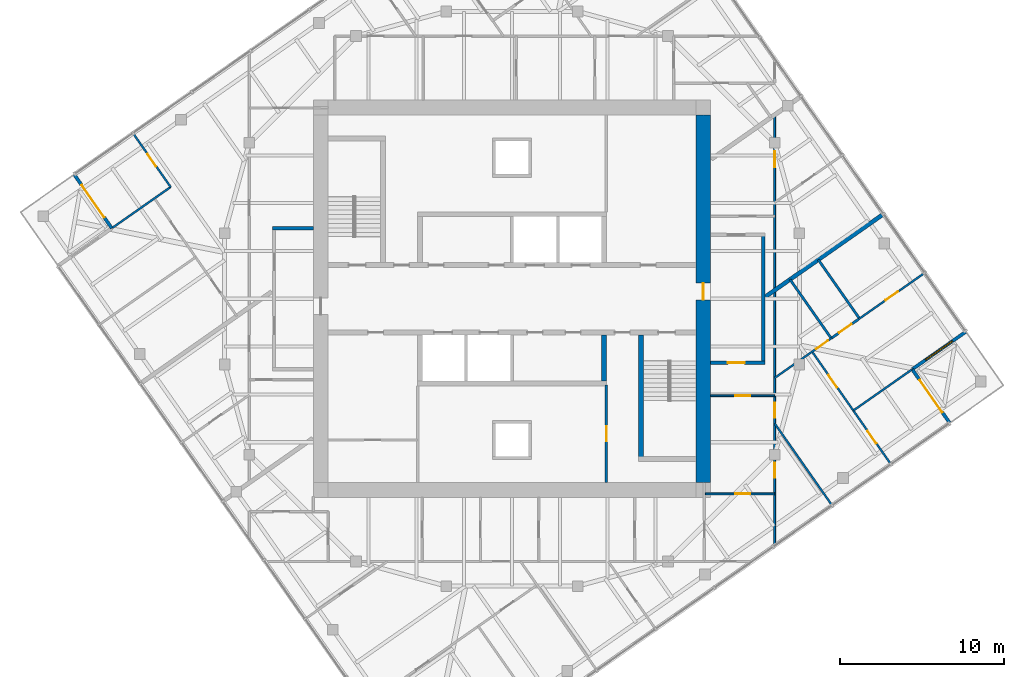
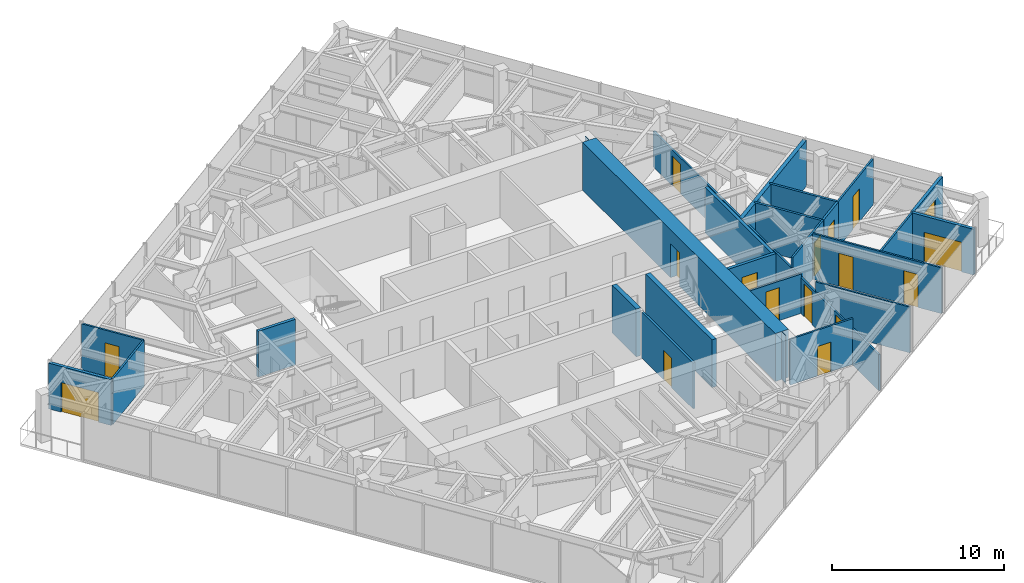
# One storey, part 9 of 12: 24 walls, 16 doors, 1 window, 17 openings.
"""IFC4 building model written with IfcOpenShell, lengths in metres."""

from ifc_helpers import new_model, si_unit, direction, frame, frame_2d, origin, place, context, subcontext, project, spatial, polyline, rectangle, outline, extrude, material, layer, layer_set, type_object, element, fill, save


model = new_model("IFC4")

# Units and contexts
model_context = context("Model", 3, precision=1e-05, world=origin(), true_north=direction((0.0, 1.0)))
body_context = subcontext(model_context, "Body", "Model", "MODEL_VIEW")
ifc_project = project(units=[si_unit("LENGTHUNIT", "METRE"), si_unit("AREAUNIT", "SQUARE_METRE"), si_unit("VOLUMEUNIT", "CUBIC_METRE"), si_unit("PLANEANGLEUNIT", "RADIAN"), si_unit("MASSUNIT", "GRAM", prefix="KILO")], contexts=[model_context])

# Site, building, storey
site_placement = place(None, origin())
site = spatial("IfcSite", under=ifc_project, at=site_placement, CompositionType="ELEMENT")
building_placement = place(site_placement, origin())
building = spatial("IfcBuilding", under=site, at=building_placement, Name="Torsade Residences", CompositionType="ELEMENT")
storey_placement = place(building_placement, frame((0.0, 0.0, 254.0)))
storey = spatial("IfcBuildingStorey", under=building, at=storey_placement, Name="L70", CompositionType="ELEMENT", Elevation=254.0)

# Walls
ifc_material_1 = material(Name="Concrete 80 MPa", Category="concrete")
ifc_layer_1 = layer(ifc_material_1, 0.300048828125)
ifc_layer_set_1 = layer_set([ifc_layer_1], Name="Concrete 80 MPa")
wall_type_1 = type_object("IfcWallType", Name="CORE INTERNAL WALL 300", PredefinedType="SHEAR", material=ifc_layer_set_1)
wall_1_placement = place(storey_placement, frame((45.60009765625, 27.800048828125, 0.0), z_axis=(0.0, 0.0, 1.0), x_axis=(0.0, -1.0, 0.0)))
element("IfcWall", 1, at=wall_1_placement, inside=storey, type_object=wall_type_1, Name="Core wall DS0 L70", PredefinedType="SHEAR", context=body_context, shape_type="SweptSolid", body=[
    extrude(rectangle(XDim=2.800048828125, YDim=0.300048828125, at=frame_2d((1.39990234375, 0.0))), origin(), (0.0, 0.0, 1.0), 3.39990234375),
])
wall_2_placement = place(storey_placement, frame((47.85009765625, 27.800048828125, 0.0), z_axis=(0.0, 0.0, 1.0), x_axis=(0.0, -1.0, 0.0)))
element("IfcWall", 2, at=wall_2_placement, inside=storey, type_object=wall_type_1, Name="Core wall ST2W L70", PredefinedType="SHEAR", context=body_context, shape_type="SweptSolid", body=[
    extrude(rectangle(XDim=7.699951171875, YDim=0.300048828125, at=frame_2d((3.85009765625, 0.0))), origin(), (0.0, 0.0, 1.0), 3.39990234375),
])

# Wall, opening, door
ifc_material_2 = material(Name="Concrete 80 MPa", Category="concrete")
ifc_layer_2 = layer(ifc_material_2, 0.89990234375)
ifc_layer_set_2 = layer_set([ifc_layer_2], Name="Concrete 80 MPa")
wall_type_2 = type_object("IfcWallType", Name="CORE WALL 900", PredefinedType="SHEAR", material=ifc_layer_set_2)
wall_3_placement = place(storey_placement, frame((51.64990234375, 18.800048828125, 0.0), z_axis=(0.0, 0.0, 1.0), x_axis=(0.0, 1.0, 0.0)))
wall_3 = element("IfcWall", 3, at=wall_3_placement, inside=storey, type_object=wall_type_2, Name="Core wall E L70", PredefinedType="SHEAR", context=body_context, shape_type="SweptSolid", body=[
    extrude(outline(polyline([(0.0, -0.449951171875), (22.39990234375, -0.449951171875), (22.39990234375, -0.02490234375), (22.849853515625, -0.02490234375), (22.849853515625, 0.02490234375), (22.39990234375, 0.02490234375), (22.39990234375, 0.449951171875), (0.0, 0.449951171875), (0.0, 0.02490234375), (-0.449951171875, 0.02490234375), (-0.449951171875, -0.02490234375), (0.0, -0.02490234375), (0.0, -0.449951171875)])), origin(), (0.0, 0.0, 1.0), 3.39990234375),
])
opening_1_placement = place(wall_3_placement, frame((11.139892578125, 0.0, 0.0)))
opening_1 = element("IfcOpeningElement", 4, at=opening_1_placement, cuts=wall_3, Name="Opening D04", PredefinedType="OPENING", context=body_context, shape_type="SweptSolid", body=[
    extrude(rectangle(XDim=1.02001953125, YDim=2.39990234375, at=frame_2d((0.510009765625, 1.199951171875))), frame((0.0, 0.4599609375, 0.0), z_axis=(0.0, -1.0, 0.0), x_axis=(1.0, 0.0, 0.0)), (0.0, 0.0, 1.0), 0.919921875),
])
ifc_material_3 = material(Name="Steel-framed fire door", Category="steel")
door_type_1 = type_object("IfcDoorType", Name="LOBBY SMOKE DOOR 1020x2400", OperationType="NOTDEFINED", PredefinedType="DOOR", material=ifc_material_3)
door_1_placement = place(opening_1_placement, origin())
door_1 = element("IfcDoor", 5, at=door_1_placement, inside=storey, type_object=door_type_1, Name="Lift lobby door E L70", OperationType="SINGLE_SWING_LEFT", OverallHeight=2.39990234375, OverallWidth=1.02001953125, PredefinedType="DOOR", context=body_context, shape_type="SweptSolid", body=[
    extrude(rectangle(XDim=1.02001953125, YDim=2.39990234375, at=frame_2d((0.510009765625, 1.199951171875))), frame((0.0, 0.02490234375, 0.0), z_axis=(0.0, -1.0, 0.0), x_axis=(1.0, 0.0, 0.0)), (0.0, 0.0, 1.0), 0.050048828125),
])
fill(opening_1, door_1)

# Wall
ifc_material_4 = material(Name="Plasterboard on steel stud", Category="steel")
ifc_layer_3 = layer(ifc_material_4, 0.199951171875)
ifc_layer_set_3 = layer_set([ifc_layer_3], Name="Plasterboard on steel stud")
wall_type_3 = type_object("IfcWallType", Name="CORRIDOR WALL 200", PredefinedType="PARTITIONING", material=ifc_layer_set_3)
wall_4_placement = place(storey_placement, frame((55.300048828125, 26.10009765625, 0.0), z_axis=(0.0, 0.0, 1.0), x_axis=(0.0, 1.0, 0.0)))
element("IfcWall", 6, at=wall_4_placement, inside=storey, type_object=wall_type_3, Name="Corridor wall L70", PredefinedType="PARTITIONING", context=body_context, shape_type="SweptSolid", body=[
    extrude(rectangle(XDim=7.7998046875, YDim=0.199951171875, at=frame_2d((3.89990234375, 0.0))), origin(), (0.0, 0.0, 1.0), 3.25),
])

# Wall, opening, door
wall_5_placement = place(storey_placement, frame((52.10009765625, 26.10009765625, 0.0), z_axis=(0.0, 0.0, 1.0), x_axis=(1.0, 0.0, 0.0)))
wall_5 = element("IfcWall", 7, at=wall_5_placement, inside=storey, type_object=wall_type_3, Name="Corridor wall L70", PredefinedType="PARTITIONING", context=body_context, shape_type="SweptSolid", body=[
    extrude(rectangle(XDim=3.2998046875, YDim=0.199951171875, at=frame_2d((1.64990234375, 0.0))), origin(), (0.0, 0.0, 1.0), 3.25),
])
opening_2_placement = place(wall_5_placement, frame((1.0400390625, 0.0, 0.0)))
opening_2 = element("IfcOpeningElement", 8, at=opening_2_placement, cuts=wall_5, Name="Opening D01", PredefinedType="OPENING", context=body_context, shape_type="SweptSolid", body=[
    extrude(rectangle(XDim=1.02001953125, YDim=2.340087890625, at=frame_2d((0.510009765625, 1.169921875))), frame((0.0, 0.10986328125, 0.0), z_axis=(0.0, -1.0, 0.0), x_axis=(1.0, 0.0, 0.0)), (0.0, 0.0, 1.0), 0.219970703125),
])
ifc_material_5 = material(Name="Solid-core timber fire door", Category="wood")
door_type_2 = type_object("IfcDoorType", Name="APARTMENT ENTRY DOOR 1020x2340", OperationType="NOTDEFINED", PredefinedType="DOOR", material=ifc_material_5)
door_2_placement = place(opening_2_placement, origin())
door_2 = element("IfcDoor", 9, at=door_2_placement, inside=storey, type_object=door_type_2, Name="Door Residential corridor to Kitchen and dining", OperationType="SINGLE_SWING_LEFT", OverallHeight=2.340087890625, OverallWidth=1.02001953125, PredefinedType="DOOR", context=body_context, shape_type="SweptSolid", body=[
    extrude(rectangle(XDim=1.02001953125, YDim=2.340087890625, at=frame_2d((0.510009765625, 1.169921875))), frame((0.0, 0.02490234375, 0.0), z_axis=(0.0, -1.0, 0.0), x_axis=(1.0, 0.0, 0.0)), (0.0, 0.0, 1.0), 0.050048828125),
])
fill(opening_2, door_2)

# Wall
wall_6_placement = place(storey_placement, frame((27.89990234375, 34.300048828125, 0.0), z_axis=(0.0, 0.0, 1.0), x_axis=(-1.0, 0.0, 0.0)))
element("IfcWall", 10, at=wall_6_placement, inside=storey, type_object=wall_type_3, Name="Corridor wall L70", PredefinedType="PARTITIONING", context=body_context, shape_type="SweptSolid", body=[
    extrude(rectangle(XDim=2.5, YDim=0.199951171875, at=frame_2d((1.25, 0.0))), origin(), (0.0, 0.0, 1.0), 3.25),
])

# Wall, opening, door
ifc_material_6 = material(Name="Plasterboard on steel stud", Category="steel")
ifc_layer_4 = layer(ifc_material_6, 0.1201171875)
ifc_layer_set_4 = layer_set([ifc_layer_4], Name="Plasterboard on steel stud")
wall_type_4 = type_object("IfcWallType", Name="PARTITION 120", PredefinedType="PARTITIONING", material=ifc_layer_set_4)
wall_7_placement = place(storey_placement, frame((56.0, 24.0947265625, 0.0), z_axis=(0.0, 0.0, 1.0), x_axis=(-1.0, 0.0, 0.0)))
wall_7 = element("IfcWall", 11, at=wall_7_placement, inside=storey, type_object=wall_type_4, Name="Partition L70", PredefinedType="PARTITIONING", context=body_context, shape_type="SweptSolid", body=[
    extrude(rectangle(XDim=3.89990234375, YDim=0.1201171875, at=frame_2d((1.949951171875, 0.0))), origin(), (0.0, 0.0, 1.0), 2.7958984375),
])
opening_3_placement = place(wall_7_placement, frame((1.489990234375, 0.0, 0.0)))
opening_3 = element("IfcOpeningElement", 12, at=opening_3_placement, cuts=wall_7, Name="Opening D02", PredefinedType="OPENING", context=body_context, shape_type="SweptSolid", body=[
    extrude(rectangle(XDim=0.919921875, YDim=2.340087890625, at=frame_2d((0.4599609375, 1.169921875))), frame((0.0, 0.070068359375, 0.0), z_axis=(0.0, -1.0, 0.0), x_axis=(1.0, 0.0, 0.0)), (0.0, 0.0, 1.0), 0.14013671875),
])
ifc_material_7 = material(Name="Hollow-core timber door", Category="wood")
door_type_3 = type_object("IfcDoorType", Name="INTERNAL DOOR 920x2340", OperationType="NOTDEFINED", PredefinedType="DOOR", material=ifc_material_7)
door_3_placement = place(opening_3_placement, origin())
door_3 = element("IfcDoor", 13, at=door_3_placement, inside=storey, type_object=door_type_3, Name="Door Kitchen and dining to Walk-in robe", OperationType="SINGLE_SWING_LEFT", OverallHeight=2.340087890625, OverallWidth=0.919921875, PredefinedType="DOOR", context=body_context, shape_type="SweptSolid", body=[
    extrude(rectangle(XDim=0.919921875, YDim=2.340087890625, at=frame_2d((0.4599609375, 1.169921875))), frame((0.0, 0.02490234375, 0.0), z_axis=(0.0, -1.0, 0.0), x_axis=(1.0, 0.0, 0.0)), (0.0, 0.0, 1.0), 0.050048828125),
])
fill(opening_3, door_3)

# Wall, openings, doors
wall_8_placement = place(storey_placement, frame((56.0, 41.203369140625, 0.0), z_axis=(0.0, 0.0, 1.0), x_axis=(0.0, -1.0, 0.0)))
wall_8 = element("IfcWall", 14, at=wall_8_placement, inside=storey, type_object=wall_type_4, Name="Partition L70", PredefinedType="PARTITIONING", context=body_context, shape_type="SweptSolid", body=[
    extrude(rectangle(XDim=26.19775390625, YDim=0.1201171875, at=frame_2d((13.098876953125, 0.0))), origin(), (0.0, 0.0, 1.0), 2.549072265625),
])
opening_4_placement = place(wall_8_placement, frame((21.1884765625, 0.0, 0.0)))
opening_4 = element("IfcOpeningElement", 15, at=opening_4_placement, cuts=wall_8, Name="Opening D02", PredefinedType="OPENING", context=body_context, shape_type="SweptSolid", body=[
    extrude(rectangle(XDim=0.919921875, YDim=2.340087890625, at=frame_2d((0.4599609375, 1.169921875))), frame((0.0, 0.070068359375, 0.0), z_axis=(0.0, -1.0, 0.0), x_axis=(1.0, 0.0, 0.0)), (0.0, 0.0, 1.0), 0.14013671875),
])
opening_5_placement = place(wall_8_placement, frame((17.537109375, 0.0, 0.0)))
opening_5 = element("IfcOpeningElement", 16, at=opening_5_placement, cuts=wall_8, Name="Opening D02", PredefinedType="OPENING", context=body_context, shape_type="SweptSolid", body=[
    extrude(rectangle(XDim=0.919921875, YDim=2.340087890625, at=frame_2d((0.4599609375, 1.169921875))), frame((0.0, 0.070068359375, 0.0), z_axis=(0.0, -1.0, 0.0), x_axis=(1.0, 0.0, 0.0)), (0.0, 0.0, 1.0), 0.14013671875),
])
opening_6_placement = place(wall_8_placement, frame((2.220947265625, 0.0, 0.0)))
opening_6 = element("IfcOpeningElement", 17, at=opening_6_placement, cuts=wall_8, Name="Opening D05", PredefinedType="OPENING", context=body_context, shape_type="SweptSolid", body=[
    extrude(rectangle(XDim=0.9599609375, YDim=2.10009765625, at=frame_2d((0.47998046875, 1.050048828125))), frame((0.0, 0.070068359375, 0.0), z_axis=(0.0, -1.0, 0.0), x_axis=(1.0, 0.0, 0.0)), (0.0, 0.0, 1.0), 0.14013671875),
])
ifc_material_8 = material(Name="Hollow-core timber door in a steel cavity frame", Category="steel")
door_type_4 = type_object("IfcDoorType", Name="BATHROOM CAVITY SLIDING DOOR 960", OperationType="SLIDING_TO_LEFT", PredefinedType="DOOR", material=ifc_material_8)
door_4_placement = place(opening_6_placement, origin())
door_4 = element("IfcDoor", 18, at=door_4_placement, inside=storey, type_object=door_type_4, Name="Door Bathroom to Bedroom 1", OperationType="SLIDING_TO_LEFT", OverallHeight=2.10009765625, OverallWidth=0.9599609375, PredefinedType="DOOR", context=body_context, shape_type="SweptSolid", body=[
    extrude(rectangle(XDim=0.9599609375, YDim=2.10009765625, at=frame_2d((0.47998046875, 1.050048828125))), frame((0.0, 0.02490234375, 0.0), z_axis=(0.0, -1.0, 0.0), x_axis=(1.0, 0.0, 0.0)), (0.0, 0.0, 1.0), 0.050048828125),
])
fill(opening_6, door_4)
door_5_placement = place(opening_4_placement, origin())
door_5 = element("IfcDoor", 19, at=door_5_placement, inside=storey, type_object=door_type_3, Name="Door Walk-in robe to Media room 2", OperationType="SINGLE_SWING_LEFT", OverallHeight=2.340087890625, OverallWidth=0.919921875, PredefinedType="DOOR", context=body_context, shape_type="SweptSolid", body=[
    extrude(rectangle(XDim=0.919921875, YDim=2.340087890625, at=frame_2d((0.4599609375, 1.169921875))), frame((0.0, 0.02490234375, 0.0), z_axis=(0.0, -1.0, 0.0), x_axis=(1.0, 0.0, 0.0)), (0.0, 0.0, 1.0), 0.050048828125),
])
fill(opening_4, door_5)
door_6_placement = place(opening_5_placement, origin())
door_6 = element("IfcDoor", 20, at=door_6_placement, inside=storey, type_object=door_type_3, Name="Door Walk-in robe to Bedroom 3", OperationType="SINGLE_SWING_RIGHT", OverallHeight=2.340087890625, OverallWidth=0.919921875, PredefinedType="DOOR", context=body_context, shape_type="SweptSolid", body=[
    extrude(rectangle(XDim=0.919921875, YDim=2.340087890625, at=frame_2d((0.4599609375, 1.169921875))), frame((0.0, 0.02490234375, 0.0), z_axis=(0.0, -1.0, 0.0), x_axis=(1.0, 0.0, 0.0)), (0.0, 0.0, 1.0), 0.050048828125),
])
fill(opening_5, door_6)

# Wall, opening, door
wall_9_placement = place(storey_placement, frame((51.77734375, 18.11767578125, 0.0), z_axis=(0.0, 0.0, 1.0), x_axis=(1.0, 0.0, 0.0)))
wall_9 = element("IfcWall", 21, at=wall_9_placement, inside=storey, type_object=wall_type_4, Name="Partition L70", PredefinedType="PARTITIONING", context=body_context, shape_type="SweptSolid", body=[
    extrude(rectangle(XDim=4.22265625, YDim=0.1201171875, at=frame_2d((2.111328125, 0.0))), origin(), (0.0, 0.0, 1.0), 3.25),
])
opening_7_placement = place(wall_9_placement, frame((1.8125, 0.0, 0.0)))
opening_7 = element("IfcOpeningElement", 22, at=opening_7_placement, cuts=wall_9, Name="Opening D02L", PredefinedType="OPENING", context=body_context, shape_type="SweptSolid", body=[
    extrude(rectangle(XDim=0.919921875, YDim=2.10009765625, at=frame_2d((0.4599609375, 1.050048828125))), frame((0.0, 0.070068359375, 0.0), z_axis=(0.0, -1.0, 0.0), x_axis=(1.0, 0.0, 0.0)), (0.0, 0.0, 1.0), 0.14013671875),
])
ifc_material_9 = material(Name="Hollow-core timber door", Category="wood")
door_type_5 = type_object("IfcDoorType", Name="INTERNAL DOOR 920x2100", OperationType="NOTDEFINED", PredefinedType="DOOR", material=ifc_material_9)
door_7_placement = place(opening_7_placement, origin())
door_7 = element("IfcDoor", 23, at=door_7_placement, inside=storey, type_object=door_type_5, Name="Door Walk-in robe to Study", OperationType="SINGLE_SWING_RIGHT", OverallHeight=2.10009765625, OverallWidth=0.919921875, PredefinedType="DOOR", context=body_context, shape_type="SweptSolid", body=[
    extrude(rectangle(XDim=0.919921875, YDim=2.10009765625, at=frame_2d((0.4599609375, 1.050048828125))), frame((0.0, 0.02490234375, 0.0), z_axis=(0.0, -1.0, 0.0), x_axis=(1.0, 0.0, 0.0)), (0.0, 0.0, 1.0), 0.050048828125),
])
fill(opening_7, door_7)

# Wall, openings, doors
wall_10_placement = place(storey_placement, frame((63.060302734375, 19.94921875, 0.0), z_axis=(0.0, 0.0, 1.0), x_axis=(-0.573576357466, 0.819152099525, 0.0)))
wall_10 = element("IfcWall", 24, at=wall_10_placement, inside=storey, type_object=wall_type_4, Name="Partition L70", PredefinedType="PARTITIONING", context=body_context, shape_type="SweptSolid", body=[
    extrude(rectangle(XDim=8.3349609375, YDim=0.1201171875, at=frame_2d((4.16748046875, 0.0))), origin(), (0.0, 0.0, 1.0), 3.25),
])
opening_8_placement = place(wall_10_placement, frame((5.6875, 0.0, 0.0)))
opening_8 = element("IfcOpeningElement", 25, at=opening_8_placement, cuts=wall_10, Name="Opening D02", PredefinedType="OPENING", context=body_context, shape_type="SweptSolid", body=[
    extrude(rectangle(XDim=0.919921875, YDim=2.340087890625, at=frame_2d((0.4599609375, 1.169921875))), frame((0.0, 0.070068359375, 0.0), z_axis=(0.0, -1.0, 0.0), x_axis=(1.0, 0.0, 0.0)), (0.0, 0.0, 1.0), 0.14013671875),
])
opening_9_placement = place(wall_10_placement, frame((1.52490234375, 0.0, 0.0)))
opening_9 = element("IfcOpeningElement", 26, at=opening_9_placement, cuts=wall_10, Name="Opening D02", PredefinedType="OPENING", context=body_context, shape_type="SweptSolid", body=[
    extrude(rectangle(XDim=0.919921875, YDim=2.340087890625, at=frame_2d((0.4599609375, 1.169921875))), frame((0.0, 0.070068359375, 0.0), z_axis=(0.0, -1.0, 0.0), x_axis=(1.0, 0.0, 0.0)), (0.0, 0.0, 1.0), 0.14013671875),
])
door_8_placement = place(opening_8_placement, origin())
door_8 = element("IfcDoor", 27, at=door_8_placement, inside=storey, type_object=door_type_3, Name="Door Bedroom 3 to Bedroom 2", OperationType="SINGLE_SWING_RIGHT", OverallHeight=2.340087890625, OverallWidth=0.919921875, PredefinedType="DOOR", context=body_context, shape_type="SweptSolid", body=[
    extrude(rectangle(XDim=0.919921875, YDim=2.340087890625, at=frame_2d((0.4599609375, 1.169921875))), frame((0.0, 0.02490234375, 0.0), z_axis=(0.0, -1.0, 0.0), x_axis=(1.0, 0.0, 0.0)), (0.0, 0.0, 1.0), 0.050048828125),
])
fill(opening_8, door_8)
door_9_placement = place(opening_9_placement, origin())
door_9 = element("IfcDoor", 28, at=door_9_placement, inside=storey, type_object=door_type_3, Name="Door Bedroom 3 to Study 3", OperationType="SINGLE_SWING_RIGHT", OverallHeight=2.340087890625, OverallWidth=0.919921875, PredefinedType="DOOR", context=body_context, shape_type="SweptSolid", body=[
    extrude(rectangle(XDim=0.919921875, YDim=2.340087890625, at=frame_2d((0.4599609375, 1.169921875))), frame((0.0, 0.02490234375, 0.0), z_axis=(0.0, -1.0, 0.0), x_axis=(1.0, 0.0, 0.0)), (0.0, 0.0, 1.0), 0.050048828125),
])
fill(opening_9, door_9)

# Wall, opening, door
wall_11_placement = place(storey_placement, frame((61.123046875, 28.767822265625, 0.0), z_axis=(0.0, 0.0, 1.0), x_axis=(0.819144657999, 0.573586984922, 0.0)))
wall_11 = element("IfcWall", 29, at=wall_11_placement, inside=storey, type_object=wall_type_4, Name="Partition L70", PredefinedType="PARTITIONING", context=body_context, shape_type="SweptSolid", body=[
    extrude(rectangle(XDim=4.86376953125, YDim=0.1201171875, at=frame_2d((2.431884765625, 0.0))), origin(), (0.0, 0.0, 1.0), 3.25),
])
opening_10_placement = place(wall_11_placement, frame((1.991943359375, 0.0, 0.0)))
opening_10 = element("IfcOpeningElement", 30, at=opening_10_placement, cuts=wall_11, Name="Opening D02", PredefinedType="OPENING", context=body_context, shape_type="SweptSolid", body=[
    extrude(rectangle(XDim=0.919921875, YDim=2.340087890625, at=frame_2d((0.4599609375, 1.169921875))), frame((0.0, 0.070068359375, 0.0), z_axis=(0.0, -1.0, 0.0), x_axis=(1.0, 0.0, 0.0)), (0.0, 0.0, 1.0), 0.14013671875),
])
door_10_placement = place(opening_10_placement, origin())
door_10 = element("IfcDoor", 31, at=door_10_placement, inside=storey, type_object=door_type_3, Name="Door Bedroom 2 to Family room", OperationType="SINGLE_SWING_LEFT", OverallHeight=2.340087890625, OverallWidth=0.919921875, PredefinedType="DOOR", context=body_context, shape_type="SweptSolid", body=[
    extrude(rectangle(XDim=0.919921875, YDim=2.340087890625, at=frame_2d((0.4599609375, 1.169921875))), frame((0.0, 0.02490234375, 0.0), z_axis=(0.0, -1.0, 0.0), x_axis=(1.0, 0.0, 0.0)), (0.0, 0.0, 1.0), 0.050048828125),
])
fill(opening_10, door_10)

wall_12_placement = place(storey_placement, frame((56.0, 25.1806640625, 0.0), z_axis=(0.0, 0.0, 1.0), x_axis=(0.819159093985, 0.573566368211, 0.0)))
wall_12 = element("IfcWall", 32, at=wall_12_placement, inside=storey, type_object=wall_type_4, Name="Partition L70", PredefinedType="PARTITIONING", context=body_context, shape_type="SweptSolid", body=[
    extrude(rectangle(XDim=4.252685546875, YDim=0.1201171875, at=frame_2d((2.12646484375, 0.0))), origin(), (0.0, 0.0, 1.0), 3.25),
])
opening_11_placement = place(wall_12_placement, frame((3.057861328125, 0.0, 0.0)))
opening_11 = element("IfcOpeningElement", 33, at=opening_11_placement, cuts=wall_12, Name="Opening D02", PredefinedType="OPENING", context=body_context, shape_type="SweptSolid", body=[
    extrude(rectangle(XDim=0.919921875, YDim=2.340087890625, at=frame_2d((0.4599609375, 1.169921875))), frame((0.0, 0.070068359375, 0.0), z_axis=(0.0, -1.0, 0.0), x_axis=(1.0, 0.0, 0.0)), (0.0, 0.0, 1.0), 0.14013671875),
])
door_11_placement = place(opening_11_placement, origin())
door_11 = element("IfcDoor", 34, at=door_11_placement, inside=storey, type_object=door_type_3, Name="Door Bedroom 2 to Walk-in robe 2", OperationType="SINGLE_SWING_RIGHT", OverallHeight=2.340087890625, OverallWidth=0.919921875, PredefinedType="DOOR", context=body_context, shape_type="SweptSolid", body=[
    extrude(rectangle(XDim=0.919921875, YDim=2.340087890625, at=frame_2d((0.4599609375, 1.169921875))), frame((0.0, 0.02490234375, 0.0), z_axis=(0.0, -1.0, 0.0), x_axis=(1.0, 0.0, 0.0)), (0.0, 0.0, 1.0), 0.050048828125),
])
fill(opening_11, door_11)

# Walls
wall_13_placement = place(storey_placement, frame((64.340087890625, 25.679443359375, 0.0), z_axis=(0.0, 0.0, 1.0), x_axis=(-0.819165768115, -0.573556836197, 0.0)))
element("IfcWall", 35, at=wall_13_placement, inside=storey, type_object=wall_type_4, Name="Partition L70", PredefinedType="PARTITIONING", context=body_context, shape_type="SweptSolid", body=[
    extrude(rectangle(XDim=4.3349609375, YDim=0.1201171875, at=frame_2d((2.16748046875, 0.0))), origin(), (0.0, 0.0, 1.0), 3.25),
])
wall_14_placement = place(storey_placement, frame((59.4765625, 17.439697265625, 0.0), z_axis=(0.0, 0.0, 1.0), x_axis=(-0.573573173989, 0.81915432861, 0.0)))
element("IfcWall", 36, at=wall_14_placement, inside=storey, type_object=wall_type_4, Name="Partition L70", PredefinedType="PARTITIONING", context=body_context, shape_type="SweptSolid", body=[
    extrude(rectangle(XDim=6.061279296875, YDim=0.1201171875, at=frame_2d((3.03076171875, 0.0))), origin(), (0.0, 0.0, 1.0), 3.25),
])
wall_15_placement = place(storey_placement, frame((15.659912109375, 34.320556640625, 0.0), z_axis=(0.0, 0.0, 1.0), x_axis=(0.819139307094, 0.573594626521, 0.0)))
element("IfcWall", 37, at=wall_15_placement, inside=storey, type_object=wall_type_4, Name="Partition L70", PredefinedType="PARTITIONING", context=body_context, shape_type="SweptSolid", body=[
    extrude(rectangle(XDim=4.3349609375, YDim=0.1201171875, at=frame_2d((2.16748046875, 0.0))), origin(), (0.0, 0.0, 1.0), 3.25),
])

# Wall, opening, door
wall_16_placement = place(storey_placement, frame((19.2109375, 36.80712890625, 0.0), z_axis=(0.0, 0.0, 1.0), x_axis=(-0.573578200724, 0.819150808859, 0.0)))
wall_16 = element("IfcWall", 38, at=wall_16_placement, inside=storey, type_object=wall_type_4, Name="Partition L70", PredefinedType="PARTITIONING", context=body_context, shape_type="SweptSolid", body=[
    extrude(rectangle(XDim=3.959716796875, YDim=0.1201171875, at=frame_2d((1.97998046875, 0.0))), origin(), (0.0, 0.0, 1.0), 3.25),
])
opening_12_placement = place(wall_16_placement, frame((1.5400390625, 0.0, 0.0)))
opening_12 = element("IfcOpeningElement", 39, at=opening_12_placement, cuts=wall_16, Name="Opening D02", PredefinedType="OPENING", context=body_context, shape_type="SweptSolid", body=[
    extrude(rectangle(XDim=0.919921875, YDim=2.340087890625, at=frame_2d((0.4599609375, 1.169921875))), frame((0.0, 0.070068359375, 0.0), z_axis=(0.0, -1.0, 0.0), x_axis=(1.0, 0.0, 0.0)), (0.0, 0.0, 1.0), 0.14013671875),
])
door_12_placement = place(opening_12_placement, origin())
door_12 = element("IfcDoor", 40, at=door_12_placement, inside=storey, type_object=door_type_3, Name="Door Living room to Family room 2", OperationType="SINGLE_SWING_LEFT", OverallHeight=2.340087890625, OverallWidth=0.919921875, PredefinedType="DOOR", context=body_context, shape_type="SweptSolid", body=[
    extrude(rectangle(XDim=0.919921875, YDim=2.340087890625, at=frame_2d((0.4599609375, 1.169921875))), frame((0.0, 0.02490234375, 0.0), z_axis=(0.0, -1.0, 0.0), x_axis=(1.0, 0.0, 0.0)), (0.0, 0.0, 1.0), 0.050048828125),
])
fill(opening_12, door_12)

# Wall
ifc_material_10 = material(Name="Masonry-lined stud party wall", Category="masonry")
ifc_layer_5 = layer(ifc_material_10, 0.25)
ifc_layer_set_5 = layer_set([ifc_layer_5], Name="Masonry-lined stud party wall")
wall_type_5 = type_object("IfcWallType", Name="PARTY WALL 250", PredefinedType="PARTITIONING", material=ifc_layer_set_5)
wall_17_placement = place(storey_placement, frame((62.630615234375, 35.164306640625, 0.0), z_axis=(0.0, 0.0, 1.0), x_axis=(-0.819152220062, -0.573576185321, 0.0)))
element("IfcWall", 41, at=wall_17_placement, inside=storey, type_object=wall_type_5, Name="Party wall L70", PredefinedType="PARTITIONING", context=body_context, shape_type="SweptSolid", body=[
    extrude(rectangle(XDim=8.779296875, YDim=0.25, at=frame_2d((4.3896484375, 0.0))), origin(), (0.0, 0.0, 1.0), 3.25),
])

# Wall, opening, door
ifc_material_11 = material(Name="Reinforced blockwork", Category="masonry")
ifc_layer_6 = layer(ifc_material_11, 0.14990234375)
ifc_layer_set_6 = layer_set([ifc_layer_6], Name="Reinforced blockwork")
wall_type_6 = type_object("IfcWallType", Name="SERVICE ROOM WALL 150", PredefinedType="SOLIDWALL", material=ifc_layer_set_6)
wall_18_placement = place(storey_placement, frame((45.75, 18.800048828125, 0.0), z_axis=(0.0, 0.0, 1.0), x_axis=(0.0, 1.0, 0.0)))
wall_18 = element("IfcWall", 42, at=wall_18_placement, inside=storey, type_object=wall_type_6, Name="Service room wall L70", PredefinedType="SOLIDWALL", context=body_context, shape_type="SweptSolid", body=[
    extrude(rectangle(XDim=5.949951171875, YDim=0.14990234375, at=frame_2d((2.97509765625, 0.0))), origin(), (0.0, 0.0, 1.0), 3.25),
])
opening_13_placement = place(wall_18_placement, frame((2.514892578125, 0.0, 0.0)))
opening_13 = element("IfcOpeningElement", 43, at=opening_13_placement, cuts=wall_18, Name="Opening D06", PredefinedType="OPENING", context=body_context, shape_type="SweptSolid", body=[
    extrude(rectangle(XDim=0.919921875, YDim=2.10009765625, at=frame_2d((0.4599609375, 1.050048828125))), frame((0.0, 0.0849609375, 0.0), z_axis=(0.0, -1.0, 0.0), x_axis=(1.0, 0.0, 0.0)), (0.0, 0.0, 1.0), 0.169921875),
])
ifc_material_12 = material(Name="Steel-framed fire door", Category="steel")
door_type_6 = type_object("IfcDoorType", Name="FIRE DOOR 920", OperationType="NOTDEFINED", PredefinedType="DOOR", material=ifc_material_12)
door_13_placement = place(opening_13_placement, origin())
door_13 = element("IfcDoor", 44, at=door_13_placement, inside=storey, type_object=door_type_6, Name="Door Security and data store to Communications riser room", OperationType="SINGLE_SWING_RIGHT", OverallHeight=2.10009765625, OverallWidth=0.919921875, PredefinedType="DOOR", context=body_context, shape_type="SweptSolid", body=[
    extrude(rectangle(XDim=0.919921875, YDim=2.10009765625, at=frame_2d((0.4599609375, 1.050048828125))), frame((0.0, 0.02490234375, 0.0), z_axis=(0.0, -1.0, 0.0), x_axis=(1.0, 0.0, 0.0)), (0.0, 0.0, 1.0), 0.050048828125),
])
fill(opening_13, door_13)

wall_19_placement = place(storey_placement, frame((59.483642578125, 27.619873046875, 0.0), z_axis=(0.0, 0.0, 1.0), x_axis=(0.819145946981, 0.573585144111, 0.0)))
wall_19 = element("IfcWall", 45, at=wall_19_placement, inside=storey, type_object=wall_type_6, Name="Service room wall L70", PredefinedType="SOLIDWALL", context=body_context, shape_type="SweptSolid", body=[
    extrude(rectangle(XDim=2.00146484375, YDim=0.14990234375, at=frame_2d((1.000732421875, 0.0))), origin(), (0.0, 0.0, 1.0), 3.25),
])
opening_14_placement = place(wall_19_placement, frame((0.540771484375, 0.0, 0.0)))
opening_14 = element("IfcOpeningElement", 46, at=opening_14_placement, cuts=wall_19, Name="Opening D02", PredefinedType="OPENING", context=body_context, shape_type="SweptSolid", body=[
    extrude(rectangle(XDim=0.919921875, YDim=2.340087890625, at=frame_2d((0.4599609375, 1.169921875))), frame((0.0, 0.0849609375, 0.0), z_axis=(0.0, -1.0, 0.0), x_axis=(1.0, 0.0, 0.0)), (0.0, 0.0, 1.0), 0.169921875),
])
door_14_placement = place(opening_14_placement, origin())
door_14 = element("IfcDoor", 47, at=door_14_placement, inside=storey, type_object=door_type_3, Name="Door Bedroom 2 to Linen store 2", OperationType="SINGLE_SWING_LEFT", OverallHeight=2.340087890625, OverallWidth=0.919921875, PredefinedType="DOOR", context=body_context, shape_type="SweptSolid", body=[
    extrude(rectangle(XDim=0.919921875, YDim=2.340087890625, at=frame_2d((0.4599609375, 1.169921875))), frame((0.0, 0.02490234375, 0.0), z_axis=(0.0, -1.0, 0.0), x_axis=(1.0, 0.0, 0.0)), (0.0, 0.0, 1.0), 0.050048828125),
])
fill(opening_14, door_14)

# Walls
for number, where, z_axis, x_axis, name in (
    (48, (61.1640625, 28.796630859375, 0.0), (0.0, 0.0, 1.0), (-0.573563463091, 0.81916112811, 0.0), "Service room wall L70"),
    (49, (56.933349609375, 31.175048828125, 0.0), (0.0, 0.0, 1.0), (0.573563463091, -0.81916112811, 0.0), "Service room wall L70"),
):
    element("IfcWall", number, at=place(storey_placement, frame(where, z_axis=z_axis, x_axis=x_axis)), inside=storey, type_object=wall_type_6, Name=name, PredefinedType="SOLIDWALL", context=body_context, shape_type="SweptSolid", body=[
        extrude(rectangle(XDim=4.375, YDim=0.14990234375, at=frame_2d((2.1875, 0.0))), origin(), (0.0, 0.0, 1.0), 3.25),
    ])

# Wall, opening, door
ifc_material_13 = material(Name="Stone-faced precast concrete 40 MPa panel", Category="masonry")
ifc_layer_7 = layer(ifc_material_13, 0.199951171875)
ifc_layer_set_7 = layer_set([ifc_layer_7], Name="Stone-faced precast concrete 40 MPa panel")
wall_type_7 = type_object("IfcWallType", Name="TERRACE WALL 200", PredefinedType="SOLIDWALL", material=ifc_layer_set_7)
wall_20_placement = place(storey_placement, frame((66.6669921875, 22.42578125, 0.0), z_axis=(0.0, 0.0, 1.0), x_axis=(-0.573556557423, 0.819165963305, 0.0)))
wall_20 = element("IfcWall", 50, at=wall_20_placement, inside=storey, type_object=wall_type_7, Name="Terrace wall L70 2", PredefinedType="SOLIDWALL", context=body_context, shape_type="SweptSolid", body=[
    extrude(rectangle(XDim=4.0, YDim=0.199951171875, at=frame_2d((2.0, 0.0))), origin(), (0.0, 0.0, 1.0), 3.25),
])
opening_15_placement = place(wall_20_placement, frame((0.800048828125, 0.0, 0.0)))
opening_15 = element("IfcOpeningElement", 51, at=opening_15_placement, cuts=wall_20, Name="Opening D10A", PredefinedType="OPENING", context=body_context, shape_type="SweptSolid", body=[
    extrude(rectangle(XDim=2.39990234375, YDim=2.10009765625, at=frame_2d((1.199951171875, 1.050048828125))), frame((0.0, 0.10986328125, 0.0), z_axis=(0.0, -1.0, 0.0), x_axis=(1.0, 0.0, 0.0)), (0.0, 0.0, 1.0), 0.219970703125),
])
ifc_material_14 = material(Name="Aluminium-framed glass door", Category="aluminium")
door_type_7 = type_object("IfcDoorType", Name="TERRACE SLIDING DOOR 2400x2100", OperationType="SLIDING_TO_LEFT", PredefinedType="DOOR", material=ifc_material_14)
door_15_placement = place(opening_15_placement, origin())
door_15 = element("IfcDoor", 52, at=door_15_placement, inside=storey, type_object=door_type_7, Name="Terrace door L70 2", OperationType="SLIDING_TO_LEFT", OverallHeight=2.10009765625, OverallWidth=2.39990234375, PredefinedType="DOOR", context=body_context, shape_type="SweptSolid", body=[
    extrude(rectangle(XDim=2.39990234375, YDim=2.10009765625, at=frame_2d((1.199951171875, 1.050048828125))), frame((0.0, 0.02490234375, 0.0), z_axis=(0.0, -1.0, 0.0), x_axis=(1.0, 0.0, 0.0)), (0.0, 0.0, 1.0), 0.050048828125),
])
fill(opening_15, door_15)

# Wall, opening, window
wall_21_placement = place(storey_placement, frame((64.372802734375, 25.702392578125, 0.0), z_axis=(0.0, 0.0, 1.0), x_axis=(0.819137286189, 0.573597512525, 0.0)))
wall_21 = element("IfcWall", 53, at=wall_21_placement, inside=storey, type_object=wall_type_7, Name="Terrace wall L70 3", PredefinedType="SOLIDWALL", context=body_context, shape_type="SweptSolid", body=[
    extrude(rectangle(XDim=4.0, YDim=0.199951171875, at=frame_2d((2.0, 0.0))), origin(), (0.0, 0.0, 1.0), 3.25),
])
opening_16_placement = place(wall_21_placement, frame((1.0, 0.0, 0.449951171875)))
opening_16 = element("IfcOpeningElement", 54, at=opening_16_placement, cuts=wall_21, Name="Opening W1B", PredefinedType="OPENING", context=body_context, shape_type="SweptSolid", body=[
    extrude(rectangle(XDim=2.0, YDim=1.800048828125, at=frame_2d((1.0, 0.89990234375))), frame((0.0, 0.10986328125, 0.0), z_axis=(0.0, -1.0, 0.0), x_axis=(1.0, 0.0, 0.0)), (0.0, 0.0, 1.0), 0.219970703125),
])
ifc_material_15 = material(Name="Aluminium-framed glass window", Category="aluminium")
window_type = type_object("IfcWindowType", Name="TERRACE WINDOW 2000x1800", PartitioningType="SINGLE_PANEL", PredefinedType="WINDOW", material=ifc_material_15)
window_placement = place(opening_16_placement, origin())
window = element("IfcWindow", 55, at=window_placement, inside=storey, type_object=window_type, Name="Terrace window L70 3", OverallHeight=1.800048828125, OverallWidth=2.0, PartitioningType="SINGLE_PANEL", PredefinedType="WINDOW", context=body_context, shape_type="SweptSolid", body=[
    extrude(rectangle(XDim=2.0, YDim=1.800048828125, at=frame_2d((1.0, 0.89990234375))), frame((0.0, 0.030029296875, 0.0), z_axis=(0.0, -1.0, 0.0), x_axis=(1.0, 0.0, 0.0)), (0.0, 0.0, 1.0), 0.06005859375),
])
fill(opening_16, window)

# Wall, opening, door
wall_22_placement = place(storey_placement, frame((13.3330078125, 37.57421875, 0.0), z_axis=(0.0, 0.0, 1.0), x_axis=(0.573556557423, -0.819165963305, 0.0)))
wall_22 = element("IfcWall", 56, at=wall_22_placement, inside=storey, type_object=wall_type_7, Name="Terrace wall L70 8", PredefinedType="SOLIDWALL", context=body_context, shape_type="SweptSolid", body=[
    extrude(rectangle(XDim=4.0, YDim=0.199951171875, at=frame_2d((2.0, 0.0))), origin(), (0.0, 0.0, 1.0), 3.25),
])
opening_17_placement = place(wall_22_placement, frame((0.800048828125, 0.0, 0.0)))
opening_17 = element("IfcOpeningElement", 57, at=opening_17_placement, cuts=wall_22, Name="Opening D10A", PredefinedType="OPENING", context=body_context, shape_type="SweptSolid", body=[
    extrude(rectangle(XDim=2.39990234375, YDim=2.10009765625, at=frame_2d((1.199951171875, 1.050048828125))), frame((0.0, 0.10986328125, 0.0), z_axis=(0.0, -1.0, 0.0), x_axis=(1.0, 0.0, 0.0)), (0.0, 0.0, 1.0), 0.219970703125),
])
door_16_placement = place(opening_17_placement, origin())
door_16 = element("IfcDoor", 58, at=door_16_placement, inside=storey, type_object=door_type_7, Name="Terrace door L70 8", OperationType="SLIDING_TO_LEFT", OverallHeight=2.10009765625, OverallWidth=2.39990234375, PredefinedType="DOOR", context=body_context, shape_type="SweptSolid", body=[
    extrude(rectangle(XDim=2.39990234375, YDim=2.10009765625, at=frame_2d((1.199951171875, 1.050048828125))), frame((0.0, 0.02490234375, 0.0), z_axis=(0.0, -1.0, 0.0), x_axis=(1.0, 0.0, 0.0)), (0.0, 0.0, 1.0), 0.050048828125),
])
fill(opening_17, door_16)

save(model, "model.ifc")
